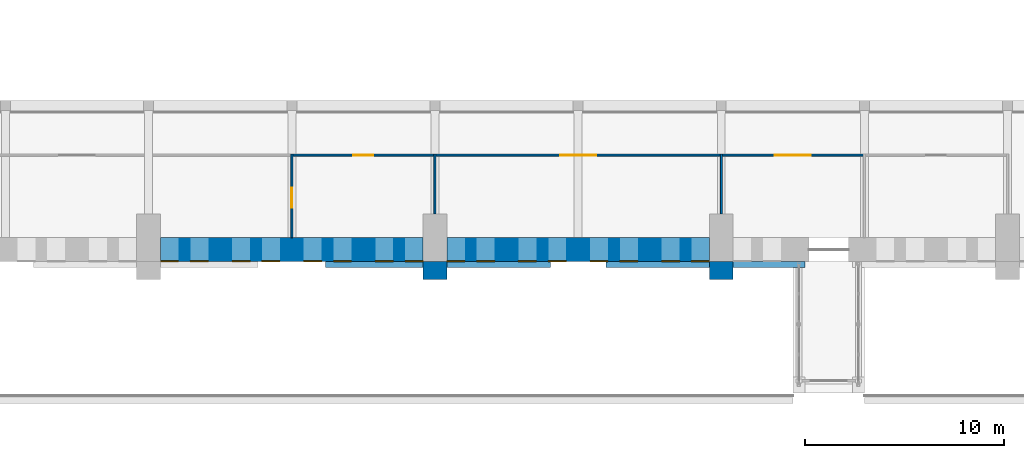
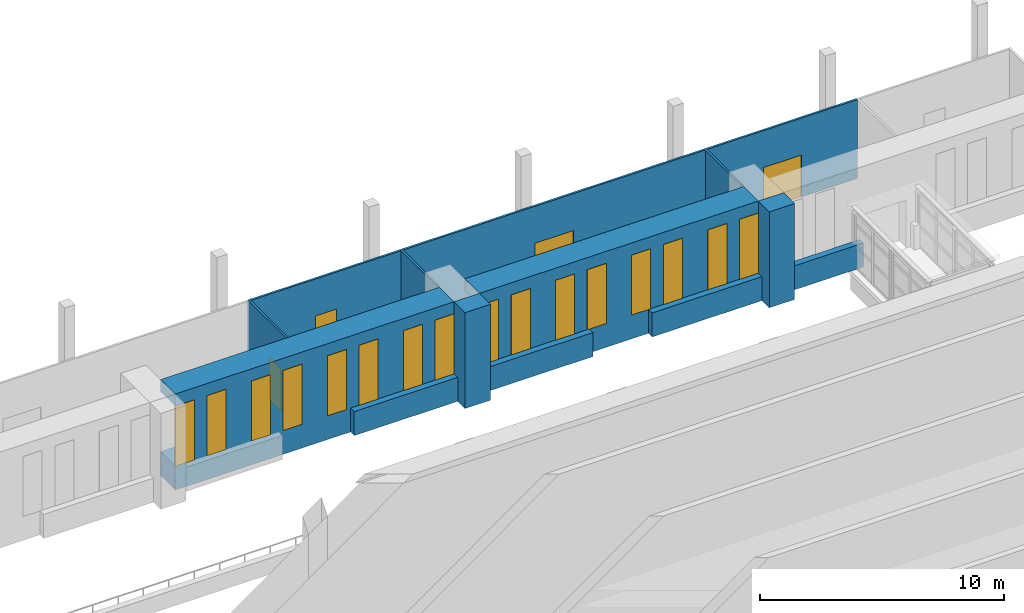
# One storey, part 81 of 131: 16 windows, 14 walls, 4 doors, 20 openings.
"""IFC4 building model written with IfcOpenShell, lengths in metres."""

from ifc_helpers import new_model, si_unit, direction, frame, frame_2d, origin, place, context, subcontext, project, spatial, rectangle, extrude, material, layer, layer_set, type_object, element, fill, save


model = new_model("IFC4")

# Units and contexts
model_context = context("Model", 3, precision=1e-05, world=origin(), true_north=direction((0.0, 1.0)))
body_context = subcontext(model_context, "Body", "Model", "MODEL_VIEW")
ifc_project = project(units=[si_unit("LENGTHUNIT", "METRE"), si_unit("AREAUNIT", "SQUARE_METRE"), si_unit("VOLUMEUNIT", "CUBIC_METRE"), si_unit("PLANEANGLEUNIT", "RADIAN"), si_unit("MASSUNIT", "GRAM", prefix="KILO")], contexts=[model_context])

# Site, building, storey
site_placement = place(None, origin())
site = spatial("IfcSite", under=ifc_project, at=site_placement, CompositionType="ELEMENT")
building_placement = place(site_placement, origin())
building = spatial("IfcBuilding", under=site, at=building_placement, Name="Alderwick Market Hall", CompositionType="ELEMENT")
storey_placement = place(building_placement, frame((0.0, 0.0, 4.800048828125)))
storey = spatial("IfcBuildingStorey", under=building, at=storey_placement, Name="L00", CompositionType="ELEMENT", Elevation=4.800048828125)

# Walls
ifc_material_1 = material(Name="Cast stone 5000 psi (f'c 35 MPa), ASTM C1364", Category="masonry")
ifc_layer_1 = layer(ifc_material_1, 0.300048828125)
ifc_layer_set_1 = layer_set([ifc_layer_1], Name="Cast stone 5000 psi (f'c 35 MPa), ASTM C1364")
wall_type_1 = type_object("IfcWallType", Name="H Base course 300", PredefinedType="SOLIDWALL", material=ifc_layer_set_1)
wall_1_placement = place(storey_placement, frame((102.5, 49.64990234375, 0.0), z_axis=(0.0, 0.0, 1.0), x_axis=(1.0, 0.0, 0.0)))
element("IfcWall", 1, at=wall_1_placement, inside=storey, type_object=wall_type_1, Name="Base course S4", PredefinedType="SOLIDWALL", context=body_context, shape_type="SweptSolid", body=[
    extrude(rectangle(XDim=4.89990234375, YDim=0.300048828125, at=frame_2d((2.449951171875, 0.0))), origin(), (0.0, 0.0, 1.0), 1.199951171875),
])
for number, where, z_axis, x_axis, name in (
    (2, (108.60009765625, 49.64990234375, 0.0), (0.0, 0.0, 1.0), (1.0, 0.0, 0.0), "Base course S5"),
    (3, (116.60009765625, 49.64990234375, 0.0), (0.0, 0.0, 1.0), (1.0, 0.0, 0.0), "Base course S5"),
):
    element("IfcWall", number, at=place(storey_placement, frame(where, z_axis=z_axis, x_axis=x_axis)), inside=storey, type_object=wall_type_1, Name=name, PredefinedType="SOLIDWALL", context=body_context, shape_type="SweptSolid", body=[
        extrude(rectangle(XDim=5.199951171875, YDim=0.300048828125, at=frame_2d((2.60009765625, 0.0))), origin(), (0.0, 0.0, 1.0), 1.199951171875),
    ])
wall_2_placement = place(storey_placement, frame((123.0, 49.64990234375, 0.0), z_axis=(0.0, 0.0, 1.0), x_axis=(1.0, 0.0, 0.0)))
element("IfcWall", 4, at=wall_2_placement, inside=storey, type_object=wall_type_1, Name="Base course S6", PredefinedType="SOLIDWALL", context=body_context, shape_type="SweptSolid", body=[
    extrude(rectangle(XDim=3.60009765625, YDim=0.300048828125, at=frame_2d((1.800048828125, 0.0))), origin(), (0.0, 0.0, 1.0), 1.199951171875),
])
ifc_material_2 = material(Name="Face brick masonry, ASTM C216 grade SW (f'm 17 MPa)", Category="masonry")
ifc_layer_2 = layer(ifc_material_2, 0.89990234375)
ifc_layer_set_2 = layer_set([ifc_layer_2], Name="Face brick masonry, ASTM C216 grade SW (f'm 17 MPa)")
wall_type_2 = type_object("IfcWallType", Name="H Buttress pier 900", PredefinedType="SOLIDWALL", material=ifc_layer_set_2)
wall_3_placement = place(storey_placement, frame((107.39990234375, 49.35009765625, 0.0), z_axis=(0.0, 0.0, 1.0), x_axis=(1.0, 0.0, 0.0)))
element("IfcWall", 5, at=wall_3_placement, inside=storey, type_object=wall_type_2, Name="Buttress pier S5", PredefinedType="SOLIDWALL", context=body_context, shape_type="SweptSolid", body=[
    extrude(rectangle(XDim=1.2001953125, YDim=0.89990234375, at=frame_2d((0.60009765625, 0.0))), origin(), (0.0, 0.0, 1.0), 4.800048828125),
])
wall_4_placement = place(storey_placement, frame((121.800048828125, 49.35009765625, 0.0), z_axis=(0.0, 0.0, 1.0), x_axis=(1.0, 0.0, 0.0)))
element("IfcWall", 6, at=wall_4_placement, inside=storey, type_object=wall_type_2, Name="Buttress pier S6", PredefinedType="SOLIDWALL", context=body_context, shape_type="SweptSolid", body=[
    extrude(rectangle(XDim=1.199951171875, YDim=0.89990234375, at=frame_2d((0.60009765625, 0.0))), origin(), (0.0, 0.0, 1.0), 4.800048828125),
])

# Wall, openings, windows
ifc_material_3 = material(Name="Concrete 5000 psi (f'c 35 MPa)", Category="concrete")
ifc_layer_3 = layer(ifc_material_3, 1.199951171875)
ifc_layer_set_3 = layer_set([ifc_layer_3], Name="Concrete 5000 psi (f'c 35 MPa)")
wall_type_3 = type_object("IfcWallType", Name="H Long wall 1200", PredefinedType="SOLIDWALL", material=ifc_layer_set_3)
wall_5_placement = place(storey_placement, frame((94.199951171875, 50.39990234375, 0.0), z_axis=(0.0, 0.0, 1.0), x_axis=(1.0, 0.0, 0.0)))
wall_5 = element("IfcWall", 7, at=wall_5_placement, inside=storey, type_object=wall_type_3, Name="Long wall S L00 4", PredefinedType="SOLIDWALL", context=body_context, shape_type="SweptSolid", body=[
    extrude(rectangle(XDim=13.199951171875, YDim=1.199951171875, at=frame_2d((6.60009765625, 0.0))), origin(), (0.0, 0.0, 1.0), 4.800048828125),
])
opening_1_placement = place(wall_5_placement, frame((0.0, 0.0, 1.199951171875)))
opening_1 = element("IfcOpeningElement", 8, at=opening_1_placement, cuts=wall_5, Name="Opening H-W023", PredefinedType="OPENING", context=body_context, shape_type="SweptSolid", body=[
    extrude(rectangle(XDim=0.89990234375, YDim=3.0, at=frame_2d((0.449951171875, 1.5))), frame((0.0, 0.60986328125, 0.0), z_axis=(0.0, -1.0, 0.0), x_axis=(1.0, 0.0, 0.0)), (0.0, 0.0, 1.0), 1.219970703125),
])
opening_2_placement = place(wall_5_placement, frame((1.5, 0.0, 1.199951171875)))
opening_2 = element("IfcOpeningElement", 9, at=opening_2_placement, cuts=wall_5, Name="Opening H-W024", PredefinedType="OPENING", context=body_context, shape_type="SweptSolid", body=[
    extrude(rectangle(XDim=0.89990234375, YDim=3.0, at=frame_2d((0.449951171875, 1.5))), frame((0.0, 0.60986328125, 0.0), z_axis=(0.0, -1.0, 0.0), x_axis=(1.0, 0.0, 0.0)), (0.0, 0.0, 1.0), 1.219970703125),
])
opening_3_placement = place(wall_5_placement, frame((3.60009765625, 0.0, 1.199951171875)))
opening_3 = element("IfcOpeningElement", 10, at=opening_3_placement, cuts=wall_5, Name="Opening H-W025", PredefinedType="OPENING", context=body_context, shape_type="SweptSolid", body=[
    extrude(rectangle(XDim=0.89990234375, YDim=3.0, at=frame_2d((0.449951171875, 1.5))), frame((0.0, 0.60986328125, 0.0), z_axis=(0.0, -1.0, 0.0), x_axis=(1.0, 0.0, 0.0)), (0.0, 0.0, 1.0), 1.219970703125),
])
opening_4_placement = place(wall_5_placement, frame((5.10009765625, 0.0, 1.199951171875)))
opening_4 = element("IfcOpeningElement", 11, at=opening_4_placement, cuts=wall_5, Name="Opening H-W026", PredefinedType="OPENING", context=body_context, shape_type="SweptSolid", body=[
    extrude(rectangle(XDim=0.89990234375, YDim=3.0, at=frame_2d((0.449951171875, 1.5))), frame((0.0, 0.60986328125, 0.0), z_axis=(0.0, -1.0, 0.0), x_axis=(1.0, 0.0, 0.0)), (0.0, 0.0, 1.0), 1.219970703125),
])
opening_5_placement = place(wall_5_placement, frame((7.199951171875, 0.0, 1.199951171875)))
opening_5 = element("IfcOpeningElement", 12, at=opening_5_placement, cuts=wall_5, Name="Opening H-W027", PredefinedType="OPENING", context=body_context, shape_type="SweptSolid", body=[
    extrude(rectangle(XDim=0.89990234375, YDim=3.0, at=frame_2d((0.449951171875, 1.5))), frame((0.0, 0.60986328125, 0.0), z_axis=(0.0, -1.0, 0.0), x_axis=(1.0, 0.0, 0.0)), (0.0, 0.0, 1.0), 1.219970703125),
])
opening_6_placement = place(wall_5_placement, frame((8.699951171875, 0.0, 1.199951171875)))
opening_6 = element("IfcOpeningElement", 13, at=opening_6_placement, cuts=wall_5, Name="Opening H-W028", PredefinedType="OPENING", context=body_context, shape_type="SweptSolid", body=[
    extrude(rectangle(XDim=0.89990234375, YDim=3.0, at=frame_2d((0.449951171875, 1.5))), frame((0.0, 0.60986328125, 0.0), z_axis=(0.0, -1.0, 0.0), x_axis=(1.0, 0.0, 0.0)), (0.0, 0.0, 1.0), 1.219970703125),
])
opening_7_placement = place(wall_5_placement, frame((10.800048828125, 0.0, 1.199951171875)))
opening_7 = element("IfcOpeningElement", 14, at=opening_7_placement, cuts=wall_5, Name="Opening H-W029", PredefinedType="OPENING", context=body_context, shape_type="SweptSolid", body=[
    extrude(rectangle(XDim=0.89990234375, YDim=3.0, at=frame_2d((0.449951171875, 1.5))), frame((0.0, 0.60986328125, 0.0), z_axis=(0.0, -1.0, 0.0), x_axis=(1.0, 0.0, 0.0)), (0.0, 0.0, 1.0), 1.219970703125),
])
opening_8_placement = place(wall_5_placement, frame((12.300048828125, 0.0, 1.199951171875)))
opening_8 = element("IfcOpeningElement", 15, at=opening_8_placement, cuts=wall_5, Name="Opening H-W030", PredefinedType="OPENING", context=body_context, shape_type="SweptSolid", body=[
    extrude(rectangle(XDim=0.89990234375, YDim=3.0, at=frame_2d((0.449951171875, 1.5))), frame((0.0, 0.60986328125, 0.0), z_axis=(0.0, -1.0, 0.0), x_axis=(1.0, 0.0, 0.0)), (0.0, 0.0, 1.0), 1.219970703125),
])
ifc_material_4 = material(Name="Aluminium frame with insulated glass", Category="aluminium")
window_type = type_object("IfcWindowType", Name="H Window 900x3000", PartitioningType="SINGLE_PANEL", PredefinedType="WINDOW", material=ifc_material_4)
window_1_placement = place(opening_1_placement, origin())
window_1 = element("IfcWindow", 16, at=window_1_placement, inside=storey, type_object=window_type, Name="Window H-W023", OverallHeight=3.0, OverallWidth=0.89990234375, PartitioningType="SINGLE_PANEL", PredefinedType="WINDOW", context=body_context, shape_type="SweptSolid", body=[
    extrude(rectangle(XDim=0.89990234375, YDim=3.0, at=frame_2d((0.449951171875, 1.5))), frame((0.0, -0.550048828125, 0.0), z_axis=(0.0, -1.0, 0.0), x_axis=(1.0, 0.0, 0.0)), (0.0, 0.0, 1.0), 0.06005859375),
])
fill(opening_1, window_1)
window_2_placement = place(opening_2_placement, origin())
window_2 = element("IfcWindow", 17, at=window_2_placement, inside=storey, type_object=window_type, Name="Window H-W024", OverallHeight=3.0, OverallWidth=0.89990234375, PartitioningType="SINGLE_PANEL", PredefinedType="WINDOW", context=body_context, shape_type="SweptSolid", body=[
    extrude(rectangle(XDim=0.89990234375, YDim=3.0, at=frame_2d((0.449951171875, 1.5))), frame((0.0, -0.550048828125, 0.0), z_axis=(0.0, -1.0, 0.0), x_axis=(1.0, 0.0, 0.0)), (0.0, 0.0, 1.0), 0.06005859375),
])
fill(opening_2, window_2)
window_3_placement = place(opening_3_placement, origin())
window_3 = element("IfcWindow", 18, at=window_3_placement, inside=storey, type_object=window_type, Name="Window H-W025", OverallHeight=3.0, OverallWidth=0.89990234375, PartitioningType="SINGLE_PANEL", PredefinedType="WINDOW", context=body_context, shape_type="SweptSolid", body=[
    extrude(rectangle(XDim=0.89990234375, YDim=3.0, at=frame_2d((0.449951171875, 1.5))), frame((0.0, -0.550048828125, 0.0), z_axis=(0.0, -1.0, 0.0), x_axis=(1.0, 0.0, 0.0)), (0.0, 0.0, 1.0), 0.06005859375),
])
fill(opening_3, window_3)
window_4_placement = place(opening_4_placement, origin())
window_4 = element("IfcWindow", 19, at=window_4_placement, inside=storey, type_object=window_type, Name="Window H-W026", OverallHeight=3.0, OverallWidth=0.89990234375, PartitioningType="SINGLE_PANEL", PredefinedType="WINDOW", context=body_context, shape_type="SweptSolid", body=[
    extrude(rectangle(XDim=0.89990234375, YDim=3.0, at=frame_2d((0.449951171875, 1.5))), frame((0.0, -0.550048828125, 0.0), z_axis=(0.0, -1.0, 0.0), x_axis=(1.0, 0.0, 0.0)), (0.0, 0.0, 1.0), 0.06005859375),
])
fill(opening_4, window_4)
window_5_placement = place(opening_5_placement, origin())
window_5 = element("IfcWindow", 20, at=window_5_placement, inside=storey, type_object=window_type, Name="Window H-W027", OverallHeight=3.0, OverallWidth=0.89990234375, PartitioningType="SINGLE_PANEL", PredefinedType="WINDOW", context=body_context, shape_type="SweptSolid", body=[
    extrude(rectangle(XDim=0.89990234375, YDim=3.0, at=frame_2d((0.449951171875, 1.5))), frame((0.0, -0.550048828125, 0.0), z_axis=(0.0, -1.0, 0.0), x_axis=(1.0, 0.0, 0.0)), (0.0, 0.0, 1.0), 0.06005859375),
])
fill(opening_5, window_5)
window_6_placement = place(opening_6_placement, origin())
window_6 = element("IfcWindow", 21, at=window_6_placement, inside=storey, type_object=window_type, Name="Window H-W028", OverallHeight=3.0, OverallWidth=0.89990234375, PartitioningType="SINGLE_PANEL", PredefinedType="WINDOW", context=body_context, shape_type="SweptSolid", body=[
    extrude(rectangle(XDim=0.89990234375, YDim=3.0, at=frame_2d((0.449951171875, 1.5))), frame((0.0, -0.550048828125, 0.0), z_axis=(0.0, -1.0, 0.0), x_axis=(1.0, 0.0, 0.0)), (0.0, 0.0, 1.0), 0.06005859375),
])
fill(opening_6, window_6)
window_7_placement = place(opening_7_placement, origin())
window_7 = element("IfcWindow", 22, at=window_7_placement, inside=storey, type_object=window_type, Name="Window H-W029", OverallHeight=3.0, OverallWidth=0.89990234375, PartitioningType="SINGLE_PANEL", PredefinedType="WINDOW", context=body_context, shape_type="SweptSolid", body=[
    extrude(rectangle(XDim=0.89990234375, YDim=3.0, at=frame_2d((0.449951171875, 1.5))), frame((0.0, -0.550048828125, 0.0), z_axis=(0.0, -1.0, 0.0), x_axis=(1.0, 0.0, 0.0)), (0.0, 0.0, 1.0), 0.06005859375),
])
fill(opening_7, window_7)
window_8_placement = place(opening_8_placement, origin())
window_8 = element("IfcWindow", 23, at=window_8_placement, inside=storey, type_object=window_type, Name="Window H-W030", OverallHeight=3.0, OverallWidth=0.89990234375, PartitioningType="SINGLE_PANEL", PredefinedType="WINDOW", context=body_context, shape_type="SweptSolid", body=[
    extrude(rectangle(XDim=0.89990234375, YDim=3.0, at=frame_2d((0.449951171875, 1.5))), frame((0.0, -0.550048828125, 0.0), z_axis=(0.0, -1.0, 0.0), x_axis=(1.0, 0.0, 0.0)), (0.0, 0.0, 1.0), 0.06005859375),
])
fill(opening_8, window_8)

wall_6_placement = place(storey_placement, frame((108.60009765625, 50.39990234375, 0.0), z_axis=(0.0, 0.0, 1.0), x_axis=(1.0, 0.0, 0.0)))
wall_6 = element("IfcWall", 24, at=wall_6_placement, inside=storey, type_object=wall_type_3, Name="Long wall S L00 5", PredefinedType="SOLIDWALL", context=body_context, shape_type="SweptSolid", body=[
    extrude(rectangle(XDim=13.199951171875, YDim=1.199951171875, at=frame_2d((6.60009765625, 0.0))), origin(), (0.0, 0.0, 1.0), 4.800048828125),
])
opening_9_placement = place(wall_6_placement, frame((0.0, 0.0, 1.199951171875)))
opening_9 = element("IfcOpeningElement", 25, at=opening_9_placement, cuts=wall_6, Name="Opening H-W031", PredefinedType="OPENING", context=body_context, shape_type="SweptSolid", body=[
    extrude(rectangle(XDim=0.89990234375, YDim=3.0, at=frame_2d((0.449951171875, 1.5))), frame((0.0, 0.60986328125, 0.0), z_axis=(0.0, -1.0, 0.0), x_axis=(1.0, 0.0, 0.0)), (0.0, 0.0, 1.0), 1.219970703125),
])
opening_10_placement = place(wall_6_placement, frame((1.5, 0.0, 1.199951171875)))
opening_10 = element("IfcOpeningElement", 26, at=opening_10_placement, cuts=wall_6, Name="Opening H-W032", PredefinedType="OPENING", context=body_context, shape_type="SweptSolid", body=[
    extrude(rectangle(XDim=0.89990234375, YDim=3.0, at=frame_2d((0.449951171875, 1.5))), frame((0.0, 0.60986328125, 0.0), z_axis=(0.0, -1.0, 0.0), x_axis=(1.0, 0.0, 0.0)), (0.0, 0.0, 1.0), 1.219970703125),
])
opening_11_placement = place(wall_6_placement, frame((3.60009765625, 0.0, 1.199951171875)))
opening_11 = element("IfcOpeningElement", 27, at=opening_11_placement, cuts=wall_6, Name="Opening H-W033", PredefinedType="OPENING", context=body_context, shape_type="SweptSolid", body=[
    extrude(rectangle(XDim=0.89990234375, YDim=3.0, at=frame_2d((0.449951171875, 1.5))), frame((0.0, 0.60986328125, 0.0), z_axis=(0.0, -1.0, 0.0), x_axis=(1.0, 0.0, 0.0)), (0.0, 0.0, 1.0), 1.219970703125),
])
opening_12_placement = place(wall_6_placement, frame((5.10009765625, 0.0, 1.199951171875)))
opening_12 = element("IfcOpeningElement", 28, at=opening_12_placement, cuts=wall_6, Name="Opening H-W034", PredefinedType="OPENING", context=body_context, shape_type="SweptSolid", body=[
    extrude(rectangle(XDim=0.89990234375, YDim=3.0, at=frame_2d((0.449951171875, 1.5))), frame((0.0, 0.60986328125, 0.0), z_axis=(0.0, -1.0, 0.0), x_axis=(1.0, 0.0, 0.0)), (0.0, 0.0, 1.0), 1.219970703125),
])
opening_13_placement = place(wall_6_placement, frame((7.199951171875, 0.0, 1.199951171875)))
opening_13 = element("IfcOpeningElement", 29, at=opening_13_placement, cuts=wall_6, Name="Opening H-W035", PredefinedType="OPENING", context=body_context, shape_type="SweptSolid", body=[
    extrude(rectangle(XDim=0.89990234375, YDim=3.0, at=frame_2d((0.449951171875, 1.5))), frame((0.0, 0.60986328125, 0.0), z_axis=(0.0, -1.0, 0.0), x_axis=(1.0, 0.0, 0.0)), (0.0, 0.0, 1.0), 1.219970703125),
])
opening_14_placement = place(wall_6_placement, frame((8.699951171875, 0.0, 1.199951171875)))
opening_14 = element("IfcOpeningElement", 30, at=opening_14_placement, cuts=wall_6, Name="Opening H-W036", PredefinedType="OPENING", context=body_context, shape_type="SweptSolid", body=[
    extrude(rectangle(XDim=0.89990234375, YDim=3.0, at=frame_2d((0.449951171875, 1.5))), frame((0.0, 0.60986328125, 0.0), z_axis=(0.0, -1.0, 0.0), x_axis=(1.0, 0.0, 0.0)), (0.0, 0.0, 1.0), 1.219970703125),
])
opening_15_placement = place(wall_6_placement, frame((10.800048828125, 0.0, 1.199951171875)))
opening_15 = element("IfcOpeningElement", 31, at=opening_15_placement, cuts=wall_6, Name="Opening H-W037", PredefinedType="OPENING", context=body_context, shape_type="SweptSolid", body=[
    extrude(rectangle(XDim=0.89990234375, YDim=3.0, at=frame_2d((0.449951171875, 1.5))), frame((0.0, 0.60986328125, 0.0), z_axis=(0.0, -1.0, 0.0), x_axis=(1.0, 0.0, 0.0)), (0.0, 0.0, 1.0), 1.219970703125),
])
opening_16_placement = place(wall_6_placement, frame((12.300048828125, 0.0, 1.199951171875)))
opening_16 = element("IfcOpeningElement", 32, at=opening_16_placement, cuts=wall_6, Name="Opening H-W038", PredefinedType="OPENING", context=body_context, shape_type="SweptSolid", body=[
    extrude(rectangle(XDim=0.89990234375, YDim=3.0, at=frame_2d((0.449951171875, 1.5))), frame((0.0, 0.60986328125, 0.0), z_axis=(0.0, -1.0, 0.0), x_axis=(1.0, 0.0, 0.0)), (0.0, 0.0, 1.0), 1.219970703125),
])
window_9_placement = place(opening_9_placement, origin())
window_9 = element("IfcWindow", 33, at=window_9_placement, inside=storey, type_object=window_type, Name="Window H-W031", OverallHeight=3.0, OverallWidth=0.89990234375, PartitioningType="SINGLE_PANEL", PredefinedType="WINDOW", context=body_context, shape_type="SweptSolid", body=[
    extrude(rectangle(XDim=0.89990234375, YDim=3.0, at=frame_2d((0.449951171875, 1.5))), frame((0.0, -0.550048828125, 0.0), z_axis=(0.0, -1.0, 0.0), x_axis=(1.0, 0.0, 0.0)), (0.0, 0.0, 1.0), 0.06005859375),
])
fill(opening_9, window_9)
window_10_placement = place(opening_10_placement, origin())
window_10 = element("IfcWindow", 34, at=window_10_placement, inside=storey, type_object=window_type, Name="Window H-W032", OverallHeight=3.0, OverallWidth=0.89990234375, PartitioningType="SINGLE_PANEL", PredefinedType="WINDOW", context=body_context, shape_type="SweptSolid", body=[
    extrude(rectangle(XDim=0.89990234375, YDim=3.0, at=frame_2d((0.449951171875, 1.5))), frame((0.0, -0.550048828125, 0.0), z_axis=(0.0, -1.0, 0.0), x_axis=(1.0, 0.0, 0.0)), (0.0, 0.0, 1.0), 0.06005859375),
])
fill(opening_10, window_10)
window_11_placement = place(opening_11_placement, origin())
window_11 = element("IfcWindow", 35, at=window_11_placement, inside=storey, type_object=window_type, Name="Window H-W033", OverallHeight=3.0, OverallWidth=0.89990234375, PartitioningType="SINGLE_PANEL", PredefinedType="WINDOW", context=body_context, shape_type="SweptSolid", body=[
    extrude(rectangle(XDim=0.89990234375, YDim=3.0, at=frame_2d((0.449951171875, 1.5))), frame((0.0, -0.550048828125, 0.0), z_axis=(0.0, -1.0, 0.0), x_axis=(1.0, 0.0, 0.0)), (0.0, 0.0, 1.0), 0.06005859375),
])
fill(opening_11, window_11)
window_12_placement = place(opening_12_placement, origin())
window_12 = element("IfcWindow", 36, at=window_12_placement, inside=storey, type_object=window_type, Name="Window H-W034", OverallHeight=3.0, OverallWidth=0.89990234375, PartitioningType="SINGLE_PANEL", PredefinedType="WINDOW", context=body_context, shape_type="SweptSolid", body=[
    extrude(rectangle(XDim=0.89990234375, YDim=3.0, at=frame_2d((0.449951171875, 1.5))), frame((0.0, -0.550048828125, 0.0), z_axis=(0.0, -1.0, 0.0), x_axis=(1.0, 0.0, 0.0)), (0.0, 0.0, 1.0), 0.06005859375),
])
fill(opening_12, window_12)
window_13_placement = place(opening_13_placement, origin())
window_13 = element("IfcWindow", 37, at=window_13_placement, inside=storey, type_object=window_type, Name="Window H-W035", OverallHeight=3.0, OverallWidth=0.89990234375, PartitioningType="SINGLE_PANEL", PredefinedType="WINDOW", context=body_context, shape_type="SweptSolid", body=[
    extrude(rectangle(XDim=0.89990234375, YDim=3.0, at=frame_2d((0.449951171875, 1.5))), frame((0.0, -0.550048828125, 0.0), z_axis=(0.0, -1.0, 0.0), x_axis=(1.0, 0.0, 0.0)), (0.0, 0.0, 1.0), 0.06005859375),
])
fill(opening_13, window_13)
window_14_placement = place(opening_14_placement, origin())
window_14 = element("IfcWindow", 38, at=window_14_placement, inside=storey, type_object=window_type, Name="Window H-W036", OverallHeight=3.0, OverallWidth=0.89990234375, PartitioningType="SINGLE_PANEL", PredefinedType="WINDOW", context=body_context, shape_type="SweptSolid", body=[
    extrude(rectangle(XDim=0.89990234375, YDim=3.0, at=frame_2d((0.449951171875, 1.5))), frame((0.0, -0.550048828125, 0.0), z_axis=(0.0, -1.0, 0.0), x_axis=(1.0, 0.0, 0.0)), (0.0, 0.0, 1.0), 0.06005859375),
])
fill(opening_14, window_14)
window_15_placement = place(opening_15_placement, origin())
window_15 = element("IfcWindow", 39, at=window_15_placement, inside=storey, type_object=window_type, Name="Window H-W037", OverallHeight=3.0, OverallWidth=0.89990234375, PartitioningType="SINGLE_PANEL", PredefinedType="WINDOW", context=body_context, shape_type="SweptSolid", body=[
    extrude(rectangle(XDim=0.89990234375, YDim=3.0, at=frame_2d((0.449951171875, 1.5))), frame((0.0, -0.550048828125, 0.0), z_axis=(0.0, -1.0, 0.0), x_axis=(1.0, 0.0, 0.0)), (0.0, 0.0, 1.0), 0.06005859375),
])
fill(opening_15, window_15)
window_16_placement = place(opening_16_placement, origin())
window_16 = element("IfcWindow", 40, at=window_16_placement, inside=storey, type_object=window_type, Name="Window H-W038", OverallHeight=3.0, OverallWidth=0.89990234375, PartitioningType="SINGLE_PANEL", PredefinedType="WINDOW", context=body_context, shape_type="SweptSolid", body=[
    extrude(rectangle(XDim=0.89990234375, YDim=3.0, at=frame_2d((0.449951171875, 1.5))), frame((0.0, -0.550048828125, 0.0), z_axis=(0.0, -1.0, 0.0), x_axis=(1.0, 0.0, 0.0)), (0.0, 0.0, 1.0), 0.06005859375),
])
fill(opening_16, window_16)

# Wall, opening, door
ifc_material_5 = material(Name="Gypsum board partition")
ifc_layer_4 = layer(ifc_material_5, 0.10009765625)
ifc_layer_set_4 = layer_set([ifc_layer_4], Name="Gypsum board partition")
wall_type_4 = type_object("IfcWallType", Name="H Partition 100", PredefinedType="PARTITIONING", material=ifc_layer_set_4)
wall_7_placement = place(storey_placement, frame((100.800048828125, 51.0, 0.0), z_axis=(0.0, 0.0, 1.0), x_axis=(0.0, 1.0, 0.0)))
wall_7 = element("IfcWall", 41, at=wall_7_placement, inside=storey, type_object=wall_type_4, Name="Partition", PredefinedType="PARTITIONING", context=body_context, shape_type="SweptSolid", body=[
    extrude(rectangle(XDim=4.199951171875, YDim=0.10009765625, at=frame_2d((2.10009765625, 0.0))), origin(), (0.0, 0.0, 1.0), 3.949951171875),
])
opening_17_placement = place(wall_7_placement, frame((1.5, 0.0, 0.0)))
opening_17 = element("IfcOpeningElement", 42, at=opening_17_placement, cuts=wall_7, Name="Opening H-D064", PredefinedType="OPENING", context=body_context, shape_type="SweptSolid", body=[
    extrude(rectangle(XDim=1.0, YDim=2.10009765625, at=frame_2d((0.5, 1.050048828125))), frame((0.0, 0.06005859375, 0.0), z_axis=(0.0, -1.0, 0.0), x_axis=(1.0, 0.0, 0.0)), (0.0, 0.0, 1.0), 0.1201171875),
])
ifc_material_6 = material(Name="Timber, solid core", Category="wood")
door_type_1 = type_object("IfcDoorType", Name="H Room door 1000x2100", OperationType="SINGLE_SWING_LEFT", PredefinedType="DOOR", material=ifc_material_6)
door_1_placement = place(opening_17_placement, origin())
door_1 = element("IfcDoor", 43, at=door_1_placement, inside=storey, type_object=door_type_1, Name="Door H-D064", OperationType="SINGLE_SWING_LEFT", OverallHeight=2.10009765625, OverallWidth=1.0, PredefinedType="DOOR", context=body_context, shape_type="SweptSolid", body=[
    extrude(rectangle(XDim=1.0, YDim=2.10009765625, at=frame_2d((0.5, 1.050048828125))), frame((0.0, 0.02490234375, 0.0), z_axis=(0.0, -1.0, 0.0), x_axis=(1.0, 0.0, 0.0)), (0.0, 0.0, 1.0), 0.050048828125),
])
fill(opening_17, door_1)

# Walls
for number, where, z_axis, x_axis, name in (
    (44, (108.0, 52.199951171875, 0.0), (0.0, 0.0, 1.0), (0.0, 1.0, 0.0), "Partition"),
    (45, (122.39990234375, 52.199951171875, 0.0), (0.0, 0.0, 1.0), (0.0, 1.0, 0.0), "Partition"),
):
    element("IfcWall", number, at=place(storey_placement, frame(where, z_axis=z_axis, x_axis=x_axis)), inside=storey, type_object=wall_type_4, Name=name, PredefinedType="PARTITIONING", context=body_context, shape_type="SweptSolid", body=[
        extrude(rectangle(XDim=3.0, YDim=0.10009765625, at=frame_2d((1.5, 0.0))), origin(), (0.0, 0.0, 1.0), 3.949951171875),
    ])

# Wall, opening, door
wall_8_placement = place(storey_placement, frame((100.85009765625, 55.14990234375, 0.0), z_axis=(0.0, 0.0, 1.0), x_axis=(1.0, 0.0, 0.0)))
wall_8 = element("IfcWall", 46, at=wall_8_placement, inside=storey, type_object=wall_type_4, Name="Partition", PredefinedType="PARTITIONING", context=body_context, shape_type="SweptSolid", body=[
    extrude(rectangle(XDim=7.099853515625, YDim=0.10009765625, at=frame_2d((3.5498046875, 0.0))), origin(), (0.0, 0.0, 1.0), 3.949951171875),
])
opening_18_placement = place(wall_8_placement, frame((3.050048828125, 0.0, 0.0)))
opening_18 = element("IfcOpeningElement", 47, at=opening_18_placement, cuts=wall_8, Name="Opening H-D063", PredefinedType="OPENING", context=body_context, shape_type="SweptSolid", body=[
    extrude(rectangle(XDim=1.0, YDim=2.10009765625, at=frame_2d((0.5, 1.050048828125))), frame((0.0, 0.06005859375, 0.0), z_axis=(0.0, -1.0, 0.0), x_axis=(1.0, 0.0, 0.0)), (0.0, 0.0, 1.0), 0.1201171875),
])
door_2_placement = place(opening_18_placement, origin())
door_2 = element("IfcDoor", 48, at=door_2_placement, inside=storey, type_object=door_type_1, Name="Door H-D063", OperationType="SINGLE_SWING_LEFT", OverallHeight=2.10009765625, OverallWidth=1.0, PredefinedType="DOOR", context=body_context, shape_type="SweptSolid", body=[
    extrude(rectangle(XDim=1.0, YDim=2.10009765625, at=frame_2d((0.5, 1.050048828125))), frame((0.0, 0.02490234375, 0.0), z_axis=(0.0, -1.0, 0.0), x_axis=(1.0, 0.0, 0.0)), (0.0, 0.0, 1.0), 0.050048828125),
])
fill(opening_18, door_2)

wall_9_placement = place(storey_placement, frame((108.050048828125, 55.14990234375, 0.0), z_axis=(0.0, 0.0, 1.0), x_axis=(1.0, 0.0, 0.0)))
wall_9 = element("IfcWall", 49, at=wall_9_placement, inside=storey, type_object=wall_type_4, Name="Partition", PredefinedType="PARTITIONING", context=body_context, shape_type="SweptSolid", body=[
    extrude(rectangle(XDim=14.300048828125, YDim=0.10009765625, at=frame_2d((7.14990234375, 0.0))), origin(), (0.0, 0.0, 1.0), 3.949951171875),
])
opening_19_placement = place(wall_9_placement, frame((6.25, 0.0, 0.0)))
opening_19 = element("IfcOpeningElement", 50, at=opening_19_placement, cuts=wall_9, Name="Opening H-D065", PredefinedType="OPENING", context=body_context, shape_type="SweptSolid", body=[
    extrude(rectangle(XDim=1.800048828125, YDim=2.10009765625, at=frame_2d((0.89990234375, 1.050048828125))), frame((0.0, 0.06005859375, 0.0), z_axis=(0.0, -1.0, 0.0), x_axis=(1.0, 0.0, 0.0)), (0.0, 0.0, 1.0), 0.1201171875),
])
ifc_material_7 = material(Name="Timber and glass", Category="wood")
door_type_2 = type_object("IfcDoorType", Name="H Double door 1800x2100", OperationType="DOUBLE_DOOR_SINGLE_SWING", PredefinedType="DOOR", material=ifc_material_7)
door_3_placement = place(opening_19_placement, origin())
door_3 = element("IfcDoor", 51, at=door_3_placement, inside=storey, type_object=door_type_2, Name="Door H-D065", OperationType="DOUBLE_DOOR_SINGLE_SWING", OverallHeight=2.10009765625, OverallWidth=1.800048828125, PredefinedType="DOOR", context=body_context, shape_type="SweptSolid", body=[
    extrude(rectangle(XDim=1.800048828125, YDim=2.10009765625, at=frame_2d((0.89990234375, 1.050048828125))), frame((0.0, 0.02490234375, 0.0), z_axis=(0.0, -1.0, 0.0), x_axis=(1.0, 0.0, 0.0)), (0.0, 0.0, 1.0), 0.050048828125),
])
fill(opening_19, door_3)

wall_10_placement = place(storey_placement, frame((122.449951171875, 55.14990234375, 0.0), z_axis=(0.0, 0.0, 1.0), x_axis=(1.0, 0.0, 0.0)))
wall_10 = element("IfcWall", 52, at=wall_10_placement, inside=storey, type_object=wall_type_4, Name="Partition", PredefinedType="PARTITIONING", context=body_context, shape_type="SweptSolid", body=[
    extrude(rectangle(XDim=7.10009765625, YDim=0.10009765625, at=frame_2d((3.550048828125, 0.0))), origin(), (0.0, 0.0, 1.0), 3.949951171875),
])
opening_20_placement = place(wall_10_placement, frame((2.64990234375, 0.0, 0.0)))
opening_20 = element("IfcOpeningElement", 53, at=opening_20_placement, cuts=wall_10, Name="Opening H-D066", PredefinedType="OPENING", context=body_context, shape_type="SweptSolid", body=[
    extrude(rectangle(XDim=1.800048828125, YDim=2.10009765625, at=frame_2d((0.89990234375, 1.050048828125))), frame((0.0, 0.06005859375, 0.0), z_axis=(0.0, -1.0, 0.0), x_axis=(1.0, 0.0, 0.0)), (0.0, 0.0, 1.0), 0.1201171875),
])
door_4_placement = place(opening_20_placement, origin())
door_4 = element("IfcDoor", 54, at=door_4_placement, inside=storey, type_object=door_type_2, Name="Door H-D066", OperationType="DOUBLE_DOOR_SINGLE_SWING", OverallHeight=2.10009765625, OverallWidth=1.800048828125, PredefinedType="DOOR", context=body_context, shape_type="SweptSolid", body=[
    extrude(rectangle(XDim=1.800048828125, YDim=2.10009765625, at=frame_2d((0.89990234375, 1.050048828125))), frame((0.0, 0.02490234375, 0.0), z_axis=(0.0, -1.0, 0.0), x_axis=(1.0, 0.0, 0.0)), (0.0, 0.0, 1.0), 0.050048828125),
])
fill(opening_20, door_4)

save(model, "model.ifc")
